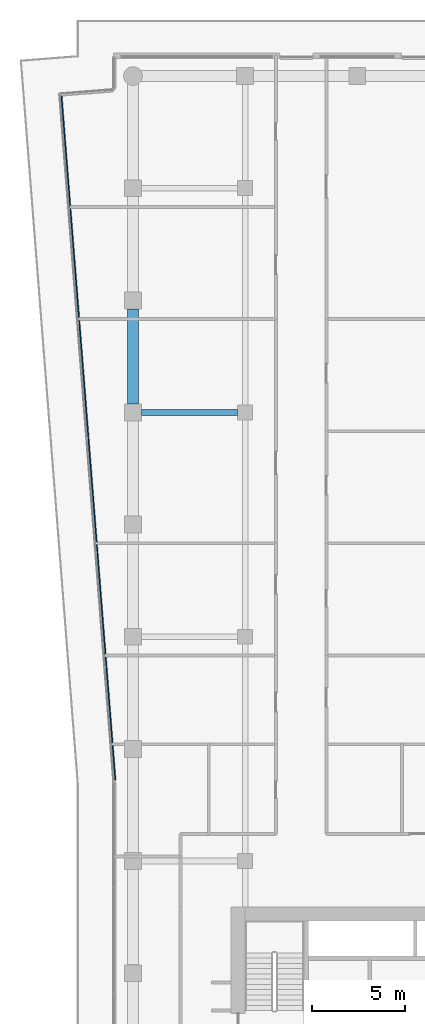
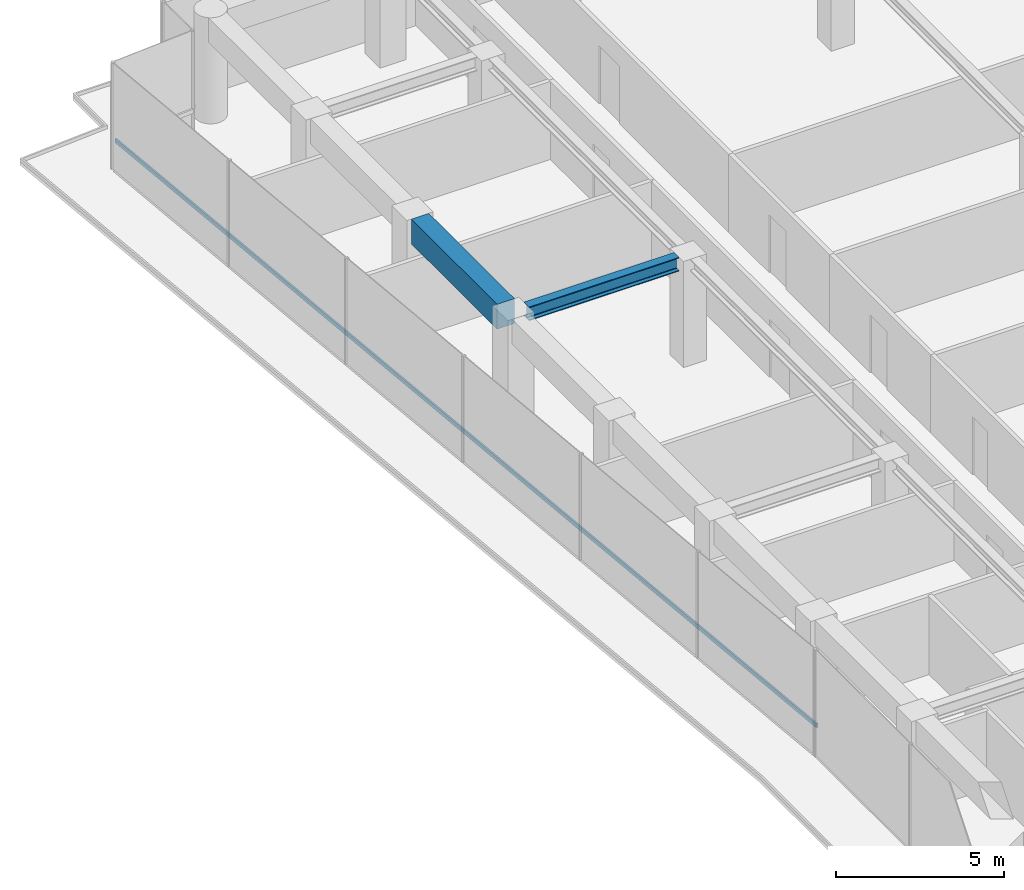
# One storey, part 13 of 25: 2 beams, 1 member, 1 element without a shape of its own.
"""IFC4 building model written with IfcOpenShell, lengths in metres."""

from ifc_helpers import new_model, si_unit, direction, frame, origin, origin_2d, place, context, subcontext, project, spatial, rectangle, i_section, extrude, material, layer, layer_set, material_profile, profile_set, type_object, element, aggregate, save


model = new_model("IFC4")

# Units and contexts
model_context = context("Model", 3, precision=1e-05, world=origin(), true_north=direction((0.0, 1.0)))
body_context = subcontext(model_context, "Body", "Model", "MODEL_VIEW")
ifc_project = project(units=[si_unit("LENGTHUNIT", "METRE"), si_unit("AREAUNIT", "SQUARE_METRE"), si_unit("VOLUMEUNIT", "CUBIC_METRE"), si_unit("PLANEANGLEUNIT", "RADIAN"), si_unit("MASSUNIT", "GRAM", prefix="KILO")], contexts=[model_context])

# Site, building, storey
site_placement = place(None, origin())
site = spatial("IfcSite", under=ifc_project, at=site_placement, CompositionType="ELEMENT")
building_placement = place(site_placement, origin())
building = spatial("IfcBuilding", under=site, at=building_placement, Name="Welwitschia Terrace Campus", CompositionType="ELEMENT")
storey_placement = place(building_placement, frame((0.0, 0.0, 92.0)))
storey = spatial("IfcBuildingStorey", under=building, at=storey_placement, Name="L20", CompositionType="ELEMENT", Elevation=92.0)

# Beams
ifc_material_1 = material(Name="Steel S355", Category="steel")
ifc_material_profile_1 = material_profile(ifc_material_1, i_section(OverallWidth=0.300048828125, OverallDepth=0.5, WebThickness=0.014404296875, FlangeThickness=0.028076171875, FilletRadius=0.027099609375, at=origin_2d()))
ifc_profile_set_1 = profile_set([ifc_material_profile_1], Name="Steel S355")
beam_type_1 = type_object("IfcBeamType", Name="Primary beam HE 500 B", PredefinedType="BEAM", material=ifc_profile_set_1)
beam_1_placement = place(storey_placement, frame((0.450439453125, 52.0, 3.60009765625), z_axis=(1.0, 0.0, 0.0), x_axis=(0.0, 1.0, 0.0)))
element("IfcBeam", 1, at=beam_1_placement, inside=storey, type_object=beam_type_1, Name="Primary beam PB3", PredefinedType="BEAM", context=body_context, shape_type="SweptSolid", body=[
    extrude(i_section(OverallWidth=0.300048828125, OverallDepth=0.5, WebThickness=0.014404296875, FlangeThickness=0.028076171875, FilletRadius=0.027099609375, at=origin_2d()), origin(), (0.0, 0.0, 1.0), 5.149169921875),
])
ifc_material_2 = material(Name="Concrete C60/75", Category="concrete")
ifc_material_profile_2 = material_profile(ifc_material_2, rectangle(XDim=0.60009765625, YDim=0.89990234375, at=origin_2d()))
ifc_profile_set_2 = profile_set([ifc_material_profile_2], Name="Concrete C60/75")
beam_type_2 = type_object("IfcBeamType", Name="Ring spandrel 600x900", PredefinedType="SPANDREL", material=ifc_profile_set_2)
beam_2_placement = place(storey_placement, frame((0.0, 57.549560546875, 3.39990234375), z_axis=(0.0, -1.0, 0.0), x_axis=(1.0, 0.0, 0.0)))
element("IfcBeam", 2, at=beam_2_placement, inside=storey, type_object=beam_type_2, Name="Spandrel SP2", PredefinedType="SPANDREL", context=body_context, shape_type="SweptSolid", body=[
    extrude(rectangle(XDim=0.60009765625, YDim=0.89990234375, at=origin_2d()), origin(), (0.0, 0.0, 1.0), 5.09912109375),
])

# Curtain wall, member
ifc_material_3 = material(Name="Bronze anodised aluminium", Category="aluminium")
ifc_layer = layer(ifc_material_3, 0.1201171875)
ifc_layer_set = layer_set([ifc_layer], Name="Bronze anodised aluminium")
curtain_wall_type = type_object("IfcCurtainWallType", Name="Curtain wall CW2 tower 6000", PredefinedType="NOTDEFINED", material=ifc_layer_set)
curtain_wall_placement = place(storey_placement, origin())
curtain_wall = element("IfcCurtainWall", 3, at=curtain_wall_placement, inside=storey, type_object=curtain_wall_type, Name="CW L20.0.0", PredefinedType="NOTDEFINED")
ifc_material_4 = material(Name="Bronze anodised aluminium", Category="aluminium")
ifc_material_profile_3 = material_profile(ifc_material_4, rectangle(XDim=0.06005859375, YDim=0.14990234375, at=origin_2d()))
ifc_profile_set_3 = profile_set([ifc_material_profile_3], Name="Bronze anodised aluminium")
member_type = type_object("IfcMemberType", Name="Transom 60x150", PredefinedType="USERDEFINED", material=ifc_profile_set_3)
member_placement = place(storey_placement, frame((-3.83203125, 69.00048828125, 1.0), z_axis=(0.078453320506, -0.996917788236, 0.0), x_axis=(0.996917788236, 0.078453320506, 0.0)))
member = element("IfcMember", 4, at=member_placement, type_object=member_type, Name="Transom L20.0.0", ObjectType="TRANSOM", PredefinedType="USERDEFINED", context=body_context, shape_type="SweptSolid", body=[
    extrude(rectangle(XDim=0.06005859375, YDim=0.14990234375, at=origin_2d()), origin(), (0.0, 0.0, 1.0), 36.798583984375),
])
aggregate(curtain_wall, [member])

save(model, "model.ifc")
